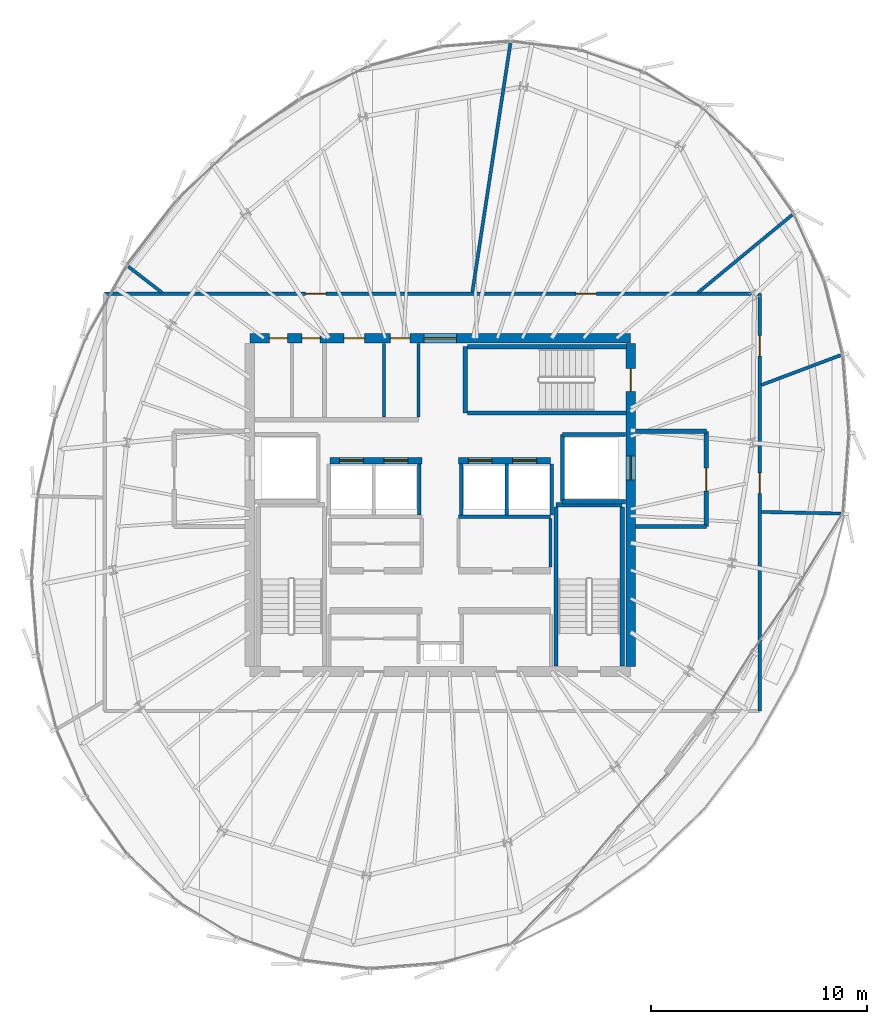
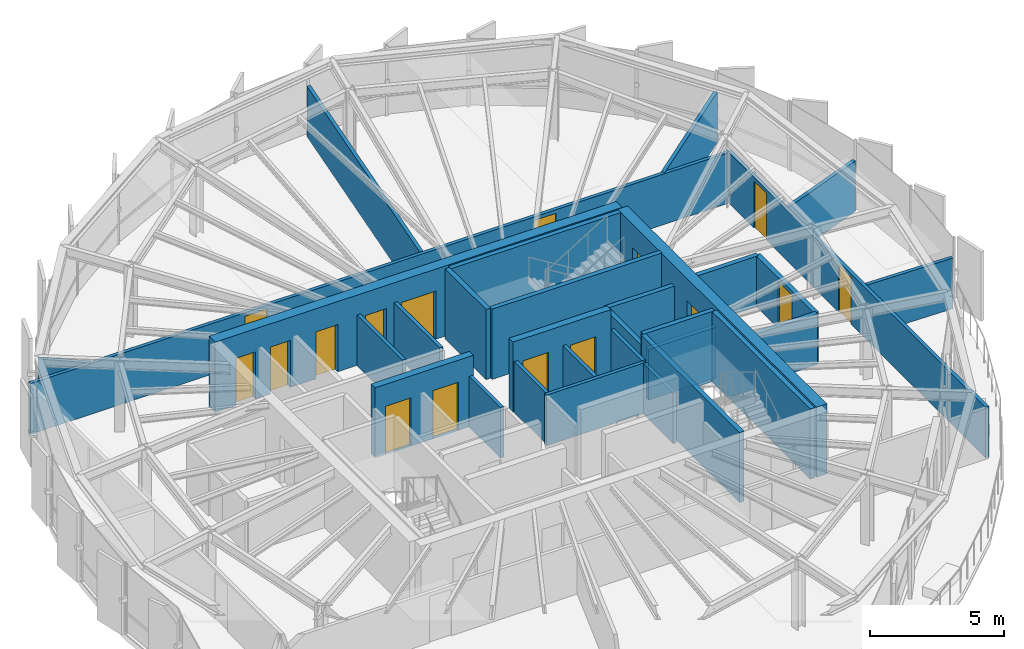
# One storey, part 25 of 30: 31 walls, 16 doors, 16 openings.
"""IFC4 building model written with IfcOpenShell, lengths in metres."""

from ifc_helpers import new_model, si_unit, direction, frame, frame_2d, origin, place, context, subcontext, project, spatial, rectangle, extrude, source, transform, mapped, material, layer, layer_set, type_object, element, fill, save


model = new_model("IFC4")

# Units and contexts
model_context = context("Model", 3, precision=1e-05, world=origin(), true_north=direction((0.0, 1.0)))
body_context = subcontext(model_context, "Body", "Model", "MODEL_VIEW")
ifc_project = project(units=[si_unit("LENGTHUNIT", "METRE"), si_unit("AREAUNIT", "SQUARE_METRE"), si_unit("VOLUMEUNIT", "CUBIC_METRE"), si_unit("PLANEANGLEUNIT", "RADIAN"), si_unit("MASSUNIT", "GRAM", prefix="KILO"), si_unit("THERMODYNAMICTEMPERATUREUNIT", "KELVIN")], contexts=[model_context])

# Site, building, storey
site_placement = place(None, origin())
site = spatial("IfcSite", under=ifc_project, at=site_placement, CompositionType="ELEMENT")
building_placement = place(site_placement, origin())
building = spatial("IfcBuilding", under=site, at=building_placement, Name="Kethvar Cultural Tower", CompositionType="ELEMENT")
storey_placement = place(building_placement, frame((0.0, 0.0, 293.949951171875)))
storey = spatial("IfcBuildingStorey", under=building, at=storey_placement, Name="L78", CompositionType="ELEMENT", Elevation=293.949951171875)

# Wall, openings, doors
ifc_material_1 = material(Name="Concrete C50/60", Category="concrete")
ifc_layer_1 = layer(ifc_material_1, 0.449951171875, Name="Concrete C50/60", Category="concrete")
ifc_layer_set_1 = layer_set([ifc_layer_1], Name="Concrete C50/60 (450 mm)")
wall_type_1 = type_object("IfcWallType", Name="WL-CORE-450", PredefinedType="SHEAR", material=ifc_layer_set_1)
wall_1_placement = place(storey_placement, frame((55.60009765625, 35.5, 0.0), z_axis=(0.0, 0.0, 1.0), x_axis=(-1.0, 0.0, 0.0)))
wall_1 = element("IfcWall", 1, at=wall_1_placement, inside=storey, type_object=wall_type_1, Name="L78 Core Shear Wall N", PredefinedType="SHEAR", context=body_context, shape_type="SweptSolid", body=[
    extrude(rectangle(XDim=17.60009765625, YDim=0.449951171875, at=frame_2d((8.800048828125, 0.0))), origin(), (0.0, 0.0, 1.0), 3.2099609375),
])
opening_1_placement = place(wall_1_placement, frame((8.050048828125, 0.0, 0.0)))
opening_1 = element("IfcOpeningElement", 2, at=opening_1_placement, cuts=wall_1, Name="Opening D-L78-LN", PredefinedType="OPENING", context=body_context, shape_type="SweptSolid", body=[
    extrude(rectangle(XDim=1.5, YDim=2.199951171875, at=frame_2d((0.75, 1.10009765625))), frame((0.0, 0.23486328125, 0.0), z_axis=(0.0, -1.0, 0.0), x_axis=(1.0, 0.0, 0.0)), (0.0, 0.0, 1.0), 0.469970703125),
])
opening_2_placement = place(wall_1_placement, frame((15.85009765625, 0.0, 0.0)))
opening_2 = element("IfcOpeningElement", 3, at=opening_2_placement, cuts=wall_1, Name="Opening D-L78-E1", PredefinedType="OPENING", context=body_context, shape_type="SweptSolid", body=[
    extrude(rectangle(XDim=0.85009765625, YDim=2.14990234375, at=frame_2d((0.425048828125, 1.074951171875))), frame((0.0, 0.23486328125, 0.0), z_axis=(0.0, -1.0, 0.0), x_axis=(1.0, 0.0, 0.0)), (0.0, 0.0, 1.0), 0.469970703125),
])
opening_3_placement = place(wall_1_placement, frame((14.35009765625, 0.0, 0.0)))
opening_3 = element("IfcOpeningElement", 4, at=opening_3_placement, cuts=wall_1, Name="Opening D-L78-E2", PredefinedType="OPENING", context=body_context, shape_type="SweptSolid", body=[
    extrude(rectangle(XDim=0.85009765625, YDim=2.14990234375, at=frame_2d((0.425048828125, 1.074951171875))), frame((0.0, 0.23486328125, 0.0), z_axis=(0.0, -1.0, 0.0), x_axis=(1.0, 0.0, 0.0)), (0.0, 0.0, 1.0), 0.469970703125),
])
opening_4_placement = place(wall_1_placement, frame((12.300048828125, 0.0, 0.0)))
opening_4 = element("IfcOpeningElement", 5, at=opening_4_placement, cuts=wall_1, Name="Opening D-L78-W1", PredefinedType="OPENING", context=body_context, shape_type="SweptSolid", body=[
    extrude(rectangle(XDim=0.949951171875, YDim=2.14990234375, at=frame_2d((0.47509765625, 1.074951171875))), frame((0.0, 0.23486328125, 0.0), z_axis=(0.0, -1.0, 0.0), x_axis=(1.0, 0.0, 0.0)), (0.0, 0.0, 1.0), 0.469970703125),
])
opening_5_placement = place(wall_1_placement, frame((10.199951171875, 0.0, 0.0)))
opening_5 = element("IfcOpeningElement", 6, at=opening_5_placement, cuts=wall_1, Name="Opening D-L78-W2", PredefinedType="OPENING", context=body_context, shape_type="SweptSolid", body=[
    extrude(rectangle(XDim=0.89990234375, YDim=2.14990234375, at=frame_2d((0.449951171875, 1.074951171875))), frame((0.0, 0.23486328125, 0.0), z_axis=(0.0, -1.0, 0.0), x_axis=(1.0, 0.0, 0.0)), (0.0, 0.0, 1.0), 0.469970703125),
])
ifc_material_2 = material(Name="Architectural Oak Timber", Category="wood")
door_type_1 = type_object("IfcDoorType", Name="DR-DBL-FD60-1500", OperationType="DOUBLE_DOOR_SINGLE_SWING", PredefinedType="DOOR", material=ifc_material_2)
shared_shape_1 = source(origin(), body_context, "Body", "SweptSolid", [
    extrude(rectangle(XDim=1.5, YDim=2.199951171875, at=frame_2d((0.75, 1.10009765625))), frame((0.0, 0.02490234375, 0.0), z_axis=(0.0, -1.0, 0.0), x_axis=(1.0, 0.0, 0.0)), (0.0, 0.0, 1.0), 0.050048828125),
])
door_1_placement = place(opening_1_placement, origin())
door_1 = element("IfcDoor", 7, at=door_1_placement, inside=storey, type_object=door_type_1, Name="L78 Lift Lobby Concourse Door", OperationType="DOUBLE_DOOR_SINGLE_SWING", OverallHeight=2.199951171875, OverallWidth=1.5, PredefinedType="DOOR", context=body_context, shape_type="MappedRepresentation", body=[
    mapped(shared_shape_1, transform((0.0, 0.0, 0.0), scale=1.0)),
])
fill(opening_1, door_1)
door_type_2 = type_object("IfcDoorType", Name="DR-FD30-950", OperationType="NOTDEFINED", PredefinedType="DOOR", material=ifc_material_2)
shared_shape_2 = source(origin(), body_context, "Body", "SweptSolid", [
    extrude(rectangle(XDim=0.949951171875, YDim=2.14990234375, at=frame_2d((0.47509765625, 1.074951171875))), frame((0.0, 0.02490234375, 0.0), z_axis=(0.0, -1.0, 0.0), x_axis=(1.0, 0.0, 0.0)), (0.0, 0.0, 1.0), 0.050048828125),
])
door_2_placement = place(opening_4_placement, origin())
door_2 = element("IfcDoor", 8, at=door_2_placement, inside=storey, type_object=door_type_2, Name="L78 Public Washroom Door", OperationType="SINGLE_SWING_LEFT", OverallHeight=2.14990234375, OverallWidth=0.949951171875, PredefinedType="DOOR", context=body_context, shape_type="MappedRepresentation", body=[
    mapped(shared_shape_2, transform((0.0, 0.0, 0.0), scale=1.0)),
])
fill(opening_4, door_2)
door_type_3 = type_object("IfcDoorType", Name="DR-FD30-900", OperationType="NOTDEFINED", PredefinedType="DOOR", material=ifc_material_2)
shared_shape_3 = source(origin(), body_context, "Body", "SweptSolid", [
    extrude(rectangle(XDim=0.89990234375, YDim=2.14990234375, at=frame_2d((0.449951171875, 1.074951171875))), frame((0.0, 0.02490234375, 0.0), z_axis=(0.0, -1.0, 0.0), x_axis=(1.0, 0.0, 0.0)), (0.0, 0.0, 1.0), 0.050048828125),
])
door_3_placement = place(opening_5_placement, origin())
door_3 = element("IfcDoor", 9, at=door_3_placement, inside=storey, type_object=door_type_3, Name="L78 Accessible Washroom Door", OperationType="SINGLE_SWING_RIGHT", OverallHeight=2.14990234375, OverallWidth=0.89990234375, PredefinedType="DOOR", context=body_context, shape_type="MappedRepresentation", body=[
    mapped(shared_shape_3, transform((0.0, 0.0, 0.0), scale=1.0)),
])
fill(opening_5, door_3)
ifc_material_3 = material(Name="Steel S355J2", Category="steel")
door_type_4 = type_object("IfcDoorType", Name="DR-FD30-850", OperationType="NOTDEFINED", PredefinedType="DOOR", material=ifc_material_3)
shared_shape_4 = source(origin(), body_context, "Body", "SweptSolid", [
    extrude(rectangle(XDim=0.85009765625, YDim=2.14990234375, at=frame_2d((0.425048828125, 1.074951171875))), frame((0.0, 0.02490234375, 0.0), z_axis=(0.0, -1.0, 0.0), x_axis=(1.0, 0.0, 0.0)), (0.0, 0.0, 1.0), 0.050048828125),
])
door_4_placement = place(opening_2_placement, origin())
door_4 = element("IfcDoor", 10, at=door_4_placement, inside=storey, type_object=door_type_4, Name="L78 Electrical Riser Door", OperationType="SINGLE_SWING_LEFT", OverallHeight=2.14990234375, OverallWidth=0.85009765625, PredefinedType="DOOR", context=body_context, shape_type="MappedRepresentation", body=[
    mapped(shared_shape_4, transform((0.0, 0.0, 0.0), scale=1.0)),
])
fill(opening_2, door_4)
door_5_placement = place(opening_3_placement, origin())
door_5 = element("IfcDoor", 11, at=door_5_placement, inside=storey, type_object=door_type_4, Name="L78 Chilled Water Riser Door", OperationType="SINGLE_SWING_RIGHT", OverallHeight=2.14990234375, OverallWidth=0.85009765625, PredefinedType="DOOR", context=body_context, shape_type="MappedRepresentation", body=[
    mapped(shared_shape_4, transform((0.0, 0.0, 0.0), scale=1.0)),
])
fill(opening_3, door_5)

wall_2_placement = place(storey_placement, frame((55.60009765625, 20.340087890625, 0.0), z_axis=(0.0, 0.0, 1.0), x_axis=(0.0, 1.0, 0.0)))
wall_2 = element("IfcWall", 12, at=wall_2_placement, inside=storey, type_object=wall_type_1, Name="L78 Core Shear Wall E", PredefinedType="SHEAR", context=body_context, shape_type="SweptSolid", body=[
    extrude(rectangle(XDim=14.919921875, YDim=0.449951171875, at=frame_2d((7.4599609375, 0.0))), origin(), (0.0, 0.0, 1.0), 3.2099609375),
])
opening_6_placement = place(wall_2_placement, frame((12.7099609375, 0.0, 0.0)))
opening_6 = element("IfcOpeningElement", 13, at=opening_6_placement, cuts=wall_2, Name="Opening D-L78-S3", PredefinedType="OPENING", context=body_context, shape_type="SweptSolid", body=[
    extrude(rectangle(XDim=1.050048828125, YDim=2.14990234375, at=frame_2d((0.52490234375, 1.074951171875))), frame((0.0, 0.23486328125, 0.0), z_axis=(0.0, -1.0, 0.0), x_axis=(1.0, 0.0, 0.0)), (0.0, 0.0, 1.0), 0.469970703125),
])
opening_7_placement = place(wall_2_placement, frame((8.610107421875, 0.0, 0.0)))
opening_7 = element("IfcOpeningElement", 14, at=opening_7_placement, cuts=wall_2, Name="Opening LD-2", PredefinedType="OPENING", context=body_context, shape_type="SweptSolid", body=[
    extrude(rectangle(XDim=1.10009765625, YDim=2.199951171875, at=frame_2d((0.550048828125, 1.10009765625))), frame((0.0, 0.23486328125, 0.0), z_axis=(0.0, -1.0, 0.0), x_axis=(1.0, 0.0, 0.0)), (0.0, 0.0, 1.0), 0.469970703125),
])
door_type_5 = type_object("IfcDoorType", Name="DR-FD60-1050", OperationType="NOTDEFINED", PredefinedType="DOOR", material=ifc_material_3)
shared_shape_5 = source(origin(), body_context, "Body", "SweptSolid", [
    extrude(rectangle(XDim=1.050048828125, YDim=2.14990234375, at=frame_2d((0.52490234375, 1.074951171875))), frame((0.0, 0.02490234375, 0.0), z_axis=(0.0, -1.0, 0.0), x_axis=(1.0, 0.0, 0.0)), (0.0, 0.0, 1.0), 0.050048828125),
])
door_6_placement = place(opening_6_placement, origin())
door_6 = element("IfcDoor", 15, at=door_6_placement, inside=storey, type_object=door_type_5, Name="L78 Exit Stair 3 Door", OperationType="SINGLE_SWING_LEFT", OverallHeight=2.14990234375, OverallWidth=1.050048828125, PredefinedType="DOOR", context=body_context, shape_type="MappedRepresentation", body=[
    mapped(shared_shape_5, transform((0.0, 0.0, 0.0), scale=1.0)),
])
fill(opening_6, door_6)
door_type_6 = type_object("IfcDoorType", Name="DR-LIFT-SLIDE-1100", OperationType="NOTDEFINED", PredefinedType="DOOR", material=ifc_material_3)
shared_shape_6 = source(origin(), body_context, "Body", "SweptSolid", [
    extrude(rectangle(XDim=1.10009765625, YDim=2.199951171875, at=frame_2d((0.550048828125, 1.10009765625))), frame((0.0, 0.02490234375, 0.0), z_axis=(0.0, -1.0, 0.0), x_axis=(1.0, 0.0, 0.0)), (0.0, 0.0, 1.0), 0.050048828125),
])
door_7_placement = place(opening_7_placement, origin())
door_7 = element("IfcDoor", 16, at=door_7_placement, inside=storey, type_object=door_type_6, Name="L78 Firefighting Lift Landing Door FFL-02", OperationType="SLIDING_TO_RIGHT", OverallHeight=2.199951171875, OverallWidth=1.10009765625, PredefinedType="DOOR", context=body_context, shape_type="MappedRepresentation", body=[
    mapped(shared_shape_6, transform((0.0, 0.0, 0.0), scale=1.0)),
])
fill(opening_7, door_7)

# Walls
ifc_material_4 = material(Name="Gypsum Fireboard Partition")
ifc_layer_2 = layer(ifc_material_4, 0.14990234375, Name="Gypsum Fireboard Partition")
ifc_layer_set_2 = layer_set([ifc_layer_2], Name="Gypsum Fireboard Partition (150 mm)")
wall_type_2 = type_object("IfcWallType", Name="WL-FIRE-150", PredefinedType="PARTITIONING", material=ifc_layer_set_2)
wall_3_placement = place(storey_placement, frame((47.64990234375, 27.25, 0.0), z_axis=(0.0, 0.0, 1.0), x_axis=(1.0, 0.0, 0.0)))
element("IfcWall", 17, at=wall_3_placement, inside=storey, type_object=wall_type_2, Name="L78 Reclaimed Mid Wall E", PredefinedType="PARTITIONING", context=body_context, shape_type="SweptSolid", body=[
    extrude(rectangle(XDim=4.25, YDim=0.14990234375, at=frame_2d((2.125, 0.0))), origin(), (0.0, 0.0, 1.0), 2.31494140625),
])
wall_4_placement = place(storey_placement, frame((51.89990234375, 24.919921875, 0.0), z_axis=(0.0, 0.0, 1.0), x_axis=(0.0, 1.0, 0.0)))
element("IfcWall", 18, at=wall_4_placement, inside=storey, type_object=wall_type_2, Name="L78 Reclaimed Mid Outer E", PredefinedType="PARTITIONING", context=body_context, shape_type="SweptSolid", body=[
    extrude(rectangle(XDim=2.239990234375, YDim=0.14990234375, at=frame_2d((1.1201171875, 0.0))), origin(), (0.0, 0.0, 1.0), 2.31494140625),
])
for number, where, z_axis, x_axis, name in (
    (19, (45.824951171875, 27.340087890625, 0.0), (0.0, 0.0, 1.0), (0.0, 1.0, 0.0), "L78 High-Rise Lift Shaft Concourse Wall W"),
    (20, (47.77490234375, 27.340087890625, 0.0), (0.0, 0.0, 1.0), (0.0, 1.0, 0.0), "L78 High-Rise Lift Shaft Concourse Wall E"),
    (21, (49.875, 27.340087890625, 0.0), (0.0, 0.0, 1.0), (0.0, 1.0, 0.0), "L78 High-Rise Lift Shaft Divider E"),
    (22, (51.949951171875, 27.340087890625, 0.0), (0.0, 0.0, 1.0), (0.0, 1.0, 0.0), "L78 High-Rise Lift Shaft Outer Wall E"),
):
    element("IfcWall", number, at=place(storey_placement, frame(where, z_axis=z_axis, x_axis=x_axis)), inside=storey, type_object=wall_type_2, Name=name, PredefinedType="PARTITIONING", context=body_context, shape_type="SweptSolid", body=[
        extrude(rectangle(XDim=2.33984375, YDim=0.14990234375, at=frame_2d((1.169921875, 0.0))), origin(), (0.0, 0.0, 1.0), 2.31494140625),
    ])
wall_5_placement = place(storey_placement, frame((45.800048828125, 31.85009765625, 0.0), z_axis=(0.0, 0.0, 1.0), x_axis=(0.0, 1.0, 0.0)))
element("IfcWall", 23, at=wall_5_placement, inside=storey, type_object=wall_type_2, Name="L78 Sanitary Spine Wall", PredefinedType="PARTITIONING", context=body_context, shape_type="SweptSolid", body=[
    extrude(rectangle(XDim=3.414794921875, YDim=0.14990234375, at=frame_2d((1.70751953125, 0.0))), origin(), (0.0, 0.0, 1.0), 2.31494140625),
])

# Wall, openings, doors
wall_6_placement = place(storey_placement, frame((61.56396484375, 18.26904296875, 0.0), z_axis=(0.0, 0.0, 1.0), x_axis=(0.0, 1.0, 0.0)))
wall_6 = element("IfcWall", 24, at=wall_6_placement, inside=storey, type_object=wall_type_2, Name="L78 Corridor Rated Wall E", PredefinedType="PARTITIONING", context=body_context, shape_type="SweptSolid", body=[
    extrude(rectangle(XDim=19.29296875, YDim=0.14990234375, at=frame_2d((9.646484375, 0.0))), origin(), (0.0, 0.0, 1.0), 2.31494140625),
])
opening_8_placement = place(wall_6_placement, frame((10.058349609375, 0.0, 0.0)))
opening_8 = element("IfcOpeningElement", 25, at=opening_8_placement, cuts=wall_6, Name="Opening D-L78-03", PredefinedType="OPENING", context=body_context, shape_type="SweptSolid", body=[
    extrude(rectangle(XDim=0.949951171875, YDim=2.14990234375, at=frame_2d((0.47509765625, 1.074951171875))), frame((0.0, 0.0849609375, 0.0), z_axis=(0.0, -1.0, 0.0), x_axis=(1.0, 0.0, 0.0)), (0.0, 0.0, 1.0), 0.169921875),
])
opening_9_placement = place(wall_6_placement, frame((16.40234375, 0.0, 0.0)))
opening_9 = element("IfcOpeningElement", 26, at=opening_9_placement, cuts=wall_6, Name="Opening D-L78-04", PredefinedType="OPENING", context=body_context, shape_type="SweptSolid", body=[
    extrude(rectangle(XDim=0.949951171875, YDim=2.14990234375, at=frame_2d((0.47509765625, 1.074951171875))), frame((0.0, 0.0849609375, 0.0), z_axis=(0.0, -1.0, 0.0), x_axis=(1.0, 0.0, 0.0)), (0.0, 0.0, 1.0), 0.169921875),
])
door_8_placement = place(opening_8_placement, origin())
door_8 = element("IfcDoor", 27, at=door_8_placement, inside=storey, type_object=door_type_2, Name="L78 Art Monograph Boutique 03 Door", OperationType="SINGLE_SWING_LEFT", OverallHeight=2.14990234375, OverallWidth=0.949951171875, PredefinedType="DOOR", context=body_context, shape_type="MappedRepresentation", body=[
    mapped(shared_shape_2, transform((0.0, 0.0, 0.0), scale=1.0)),
])
fill(opening_8, door_8)
door_9_placement = place(opening_9_placement, origin())
door_9 = element("IfcDoor", 28, at=door_9_placement, inside=storey, type_object=door_type_2, Name="L78 Poster Edition Shop 04 Door", OperationType="SINGLE_SWING_RIGHT", OverallHeight=2.14990234375, OverallWidth=0.949951171875, PredefinedType="DOOR", context=body_context, shape_type="MappedRepresentation", body=[
    mapped(shared_shape_2, transform((0.0, 0.0, 0.0), scale=1.0)),
])
fill(opening_9, door_9)

wall_7_placement = place(storey_placement, frame((61.56396484375, 37.56201171875, 0.0), z_axis=(0.0, 0.0, 1.0), x_axis=(-1.0, 0.0, 0.0)))
wall_7 = element("IfcWall", 29, at=wall_7_placement, inside=storey, type_object=wall_type_2, Name="L78 Corridor Rated Wall N", PredefinedType="PARTITIONING", context=body_context, shape_type="SweptSolid", body=[
    extrude(rectangle(XDim=30.27392578125, YDim=0.14990234375, at=frame_2d((15.136962890625, 0.0))), origin(), (0.0, 0.0, 1.0), 2.31494140625),
])
opening_10_placement = place(wall_7_placement, frame((7.544677734375, 0.0, 0.0)))
opening_10 = element("IfcOpeningElement", 30, at=opening_10_placement, cuts=wall_7, Name="Opening D-L78-05", PredefinedType="OPENING", context=body_context, shape_type="SweptSolid", body=[
    extrude(rectangle(XDim=0.949951171875, YDim=2.14990234375, at=frame_2d((0.47509765625, 1.074951171875))), frame((0.0, 0.0849609375, 0.0), z_axis=(0.0, -1.0, 0.0), x_axis=(1.0, 0.0, 0.0)), (0.0, 0.0, 1.0), 0.169921875),
])
opening_11_placement = place(wall_7_placement, frame((20.03955078125, 0.0, 0.0)))
opening_11 = element("IfcOpeningElement", 31, at=opening_11_placement, cuts=wall_7, Name="Opening D-L78-06", PredefinedType="OPENING", context=body_context, shape_type="SweptSolid", body=[
    extrude(rectangle(XDim=0.949951171875, YDim=2.14990234375, at=frame_2d((0.47509765625, 1.074951171875))), frame((0.0, 0.0849609375, 0.0), z_axis=(0.0, -1.0, 0.0), x_axis=(1.0, 0.0, 0.0)), (0.0, 0.0, 1.0), 0.169921875),
])
door_10_placement = place(opening_10_placement, origin())
door_10 = element("IfcDoor", 32, at=door_10_placement, inside=storey, type_object=door_type_2, Name="L78 Archival Facsimile Shop 05 Door", OperationType="SINGLE_SWING_LEFT", OverallHeight=2.14990234375, OverallWidth=0.949951171875, PredefinedType="DOOR", context=body_context, shape_type="MappedRepresentation", body=[
    mapped(shared_shape_2, transform((0.0, 0.0, 0.0), scale=1.0)),
])
fill(opening_10, door_10)
door_11_placement = place(opening_11_placement, origin())
door_11 = element("IfcDoor", 33, at=door_11_placement, inside=storey, type_object=door_type_2, Name="L78 Staff Tea Pantry 06 Door", OperationType="SINGLE_SWING_RIGHT", OverallHeight=2.14990234375, OverallWidth=0.949951171875, PredefinedType="DOOR", context=body_context, shape_type="MappedRepresentation", body=[
    mapped(shared_shape_2, transform((0.0, 0.0, 0.0), scale=1.0)),
])
fill(opening_11, door_11)

# Walls
ifc_material_5 = material(Name="Concrete C40/50", Category="concrete")
ifc_layer_3 = layer(ifc_material_5, 0.199951171875, Name="Concrete C40/50", Category="concrete")
ifc_layer_set_3 = layer_set([ifc_layer_3], Name="Concrete C40/50 (200 mm)")
wall_type_3 = type_object("IfcWallType", Name="WL-FIRE-200", PredefinedType="PARTITIONING", material=ifc_layer_set_3)
wall_8_placement = place(storey_placement, frame((52.449951171875, 27.949951171875, 0.0), z_axis=(0.0, 0.0, 1.0), x_axis=(0.0, 1.0, 0.0)))
element("IfcWall", 34, at=wall_8_placement, inside=storey, type_object=wall_type_3, Name="L78 FFL-02 Shaft Inner Wall", PredefinedType="PARTITIONING", context=body_context, shape_type="SweptSolid", body=[
    extrude(rectangle(XDim=3.10009765625, YDim=0.199951171875, at=frame_2d((1.550048828125, 0.0))), origin(), (0.0, 0.0, 1.0), 2.31494140625),
])
for number, where, z_axis, x_axis, name in (
    (35, (52.449951171875, 27.949951171875, 0.0), (0.0, 0.0, 1.0), (1.0, 0.0, 0.0), "L78 FFL-02 Shaft South Wall"),
    (36, (52.449951171875, 31.050048828125, 0.0), (0.0, 0.0, 1.0), (1.0, 0.0, 0.0), "L78 FFL-02 Shaft North Wall"),
):
    element("IfcWall", number, at=place(storey_placement, frame(where, z_axis=z_axis, x_axis=x_axis)), inside=storey, type_object=wall_type_3, Name=name, PredefinedType="PARTITIONING", context=body_context, shape_type="SweptSolid", body=[
        extrude(rectangle(XDim=2.9150390625, YDim=0.199951171875, at=frame_2d((1.45751953125, 0.0))), origin(), (0.0, 0.0, 1.0), 2.31494140625),
    ])

# Wall, opening, door
wall_9_placement = place(storey_placement, frame((59.10009765625, 26.800048828125, 0.0), z_axis=(0.0, 0.0, 1.0), x_axis=(0.0, 1.0, 0.0)))
wall_9 = element("IfcWall", 37, at=wall_9_placement, inside=storey, type_object=wall_type_3, Name="L78 Firefighting Lobby 2 Wall", PredefinedType="PARTITIONING", context=body_context, shape_type="SweptSolid", body=[
    extrude(rectangle(XDim=4.39990234375, YDim=0.199951171875, at=frame_2d((2.199951171875, 0.0))), origin(), (0.0, 0.0, 1.0), 2.31494140625),
])
opening_12_placement = place(wall_9_placement, frame((1.64990234375, 0.0, 0.0)))
opening_12 = element("IfcOpeningElement", 38, at=opening_12_placement, cuts=wall_9, Name="Opening D-L78-F2", PredefinedType="OPENING", context=body_context, shape_type="SweptSolid", body=[
    extrude(rectangle(XDim=1.050048828125, YDim=2.14990234375, at=frame_2d((0.52490234375, 1.074951171875))), frame((0.0, 0.10986328125, 0.0), z_axis=(0.0, -1.0, 0.0), x_axis=(1.0, 0.0, 0.0)), (0.0, 0.0, 1.0), 0.219970703125),
])
door_12_placement = place(opening_12_placement, origin())
door_12 = element("IfcDoor", 39, at=door_12_placement, inside=storey, type_object=door_type_5, Name="L78 Firefighting Lobby 2 Fire Door", OperationType="SINGLE_SWING_LEFT", OverallHeight=2.14990234375, OverallWidth=1.050048828125, PredefinedType="DOOR", context=body_context, shape_type="MappedRepresentation", body=[
    mapped(shared_shape_5, transform((0.0, 0.0, 0.0), scale=1.0)),
])
fill(opening_12, door_12)

# Walls
for number, where, z_axis, x_axis, name in (
    (40, (55.8349609375, 26.800048828125, 0.0), (0.0, 0.0, 1.0), (1.0, 0.0, 0.0), "L78 FF Lobby 2 South Wall"),
    (41, (55.8349609375, 31.199951171875, 0.0), (0.0, 0.0, 1.0), (1.0, 0.0, 0.0), "L78 FF Lobby 2 North Wall"),
):
    element("IfcWall", number, at=place(storey_placement, frame(where, z_axis=z_axis, x_axis=x_axis)), inside=storey, type_object=wall_type_3, Name=name, PredefinedType="PARTITIONING", context=body_context, shape_type="SweptSolid", body=[
        extrude(rectangle(XDim=3.26513671875, YDim=0.199951171875, at=frame_2d((1.632568359375, 0.0))), origin(), (0.0, 0.0, 1.0), 2.31494140625),
    ])
ifc_material_6 = material(Name="Gypsum Acoustic Partition")
ifc_layer_4 = layer(ifc_material_6, 0.14990234375, Name="Gypsum Acoustic Partition")
ifc_layer_set_4 = layer_set([ifc_layer_4], Name="Gypsum Acoustic Partition (150 mm)")
wall_type_4 = type_object("IfcWallType", Name="WL-PART-150", PredefinedType="PARTITIONING", material=ifc_layer_set_4)
wall_10_placement = place(storey_placement, frame((61.64404296875, 27.473876953125, 0.0), z_axis=(0.0, 0.0, 1.0), x_axis=(0.999787363951, -0.020621030128, 0.0)))
element("IfcWall", 42, at=wall_10_placement, inside=storey, type_object=wall_type_4, Name="L78 Radial Partition Wall 04", PredefinedType="PARTITIONING", context=body_context, shape_type="SweptSolid", body=[
    extrude(rectangle(XDim=3.670166015625, YDim=0.14990234375, at=frame_2d((1.8349609375, 0.0))), origin(), (0.0, 0.0, 1.0), 2.31494140625),
])
wall_11_placement = place(storey_placement, frame((61.638916015625, 33.338623046875, 0.0), z_axis=(0.0, 0.0, 1.0), x_axis=(0.935913629977, 0.352229580279, 0.0)))
element("IfcWall", 43, at=wall_11_placement, inside=storey, type_object=wall_type_4, Name="L78 Radial Partition Wall 05", PredefinedType="PARTITIONING", context=body_context, shape_type="SweptSolid", body=[
    extrude(rectangle(XDim=3.91748046875, YDim=0.14990234375, at=frame_2d((1.958740234375, 0.0))), origin(), (0.0, 0.0, 1.0), 2.31494140625),
])
wall_12_placement = place(storey_placement, frame((58.7158203125, 37.61279296875, 0.0), z_axis=(0.0, 0.0, 1.0), x_axis=(0.771104958494, 0.636708051611, 0.0)))
element("IfcWall", 44, at=wall_12_placement, inside=storey, type_object=wall_type_4, Name="L78 Radial Partition Wall 06", PredefinedType="PARTITIONING", context=body_context, shape_type="SweptSolid", body=[
    extrude(rectangle(XDim=5.640380859375, YDim=0.14990234375, at=frame_2d((2.8203125, 0.0))), origin(), (0.0, 0.0, 1.0), 2.31494140625),
])
wall_13_placement = place(storey_placement, frame((48.2861328125, 37.64111328125, 0.0), z_axis=(0.0, 0.0, 1.0), x_axis=(0.151178163671, 0.988506531506, 0.0)))
element("IfcWall", 45, at=wall_13_placement, inside=storey, type_object=wall_type_4, Name="L78 Radial Partition Wall 07", PredefinedType="PARTITIONING", context=body_context, shape_type="SweptSolid", body=[
    extrude(rectangle(XDim=11.625732421875, YDim=0.14990234375, at=frame_2d((5.81298828125, 0.0))), origin(), (0.0, 0.0, 1.0), 2.31494140625),
])
wall_14_placement = place(storey_placement, frame((33.940185546875, 37.61083984375, 0.0), z_axis=(0.0, 0.0, 1.0), x_axis=(-0.791041760973, 0.611762153452, 0.0)))
element("IfcWall", 46, at=wall_14_placement, inside=storey, type_object=wall_type_4, Name="L78 Radial Partition Wall 08", PredefinedType="PARTITIONING", context=body_context, shape_type="SweptSolid", body=[
    extrude(rectangle(XDim=1.965087890625, YDim=0.14990234375, at=frame_2d((0.982421875, 0.0))), origin(), (0.0, 0.0, 1.0), 2.31494140625),
])
ifc_material_7 = material(Name="Moisture-Resistant Sanitary Chase Wall")
ifc_layer_5 = layer(ifc_material_7, 0.14990234375, Name="Moisture-Resistant Sanitary Chase Wall")
ifc_layer_set_5 = layer_set([ifc_layer_5], Name="Moisture-Resistant Sanitary Chase Wall (150 mm)")
wall_type_5 = type_object("IfcWallType", Name="WL-PLUMB-150", PredefinedType="PLUMBINGWALL", material=ifc_layer_set_5)
wall_15_placement = place(storey_placement, frame((44.199951171875, 31.85009765625, 0.0), z_axis=(0.0, 0.0, 1.0), x_axis=(0.0, 1.0, 0.0)))
element("IfcWall", 47, at=wall_15_placement, inside=storey, type_object=wall_type_5, Name="L78 Sanitary Plumbing Wall", PredefinedType="PLUMBINGWALL", context=body_context, shape_type="SweptSolid", body=[
    extrude(rectangle(XDim=3.414794921875, YDim=0.14990234375, at=frame_2d((1.70751953125, 0.0))), origin(), (0.0, 0.0, 1.0), 2.31494140625),
])

# Wall, openings, doors
ifc_layer_6 = layer(ifc_material_1, 0.300048828125, Name="Concrete C50/60", Category="concrete")
ifc_layer_set_6 = layer_set([ifc_layer_6], Name="Concrete C50/60 (300 mm)")
wall_type_6 = type_object("IfcWallType", Name="WL-SHAFT-300", PredefinedType="SHEAR", material=ifc_layer_set_6)
wall_16_placement = place(storey_placement, frame((41.699951171875, 29.85009765625, 0.0), z_axis=(0.0, 0.0, 1.0), x_axis=(1.0, 0.0, 0.0)))
wall_16 = element("IfcWall", 48, at=wall_16_placement, inside=storey, type_object=wall_type_6, Name="L78 Core Lift Spine Wall MID3W", PredefinedType="SHEAR", context=body_context, shape_type="SweptSolid", body=[
    extrude(rectangle(XDim=4.25, YDim=0.300048828125, at=frame_2d((2.125, 0.0))), origin(), (0.0, 0.0, 1.0), 3.2099609375),
])
opening_13_placement = place(wall_16_placement, frame((0.449951171875, 0.0, 0.0)))
opening_13 = element("IfcOpeningElement", 49, at=opening_13_placement, cuts=wall_16, Name="Opening LD-H1", PredefinedType="OPENING", context=body_context, shape_type="SweptSolid", body=[
    extrude(rectangle(XDim=1.10009765625, YDim=2.199951171875, at=frame_2d((0.550048828125, 1.10009765625))), frame((0.0, 0.159912109375, 0.0), z_axis=(0.0, -1.0, 0.0), x_axis=(1.0, 0.0, 0.0)), (0.0, 0.0, 1.0), 0.320068359375),
])
opening_14_placement = place(wall_16_placement, frame((2.5, 0.0, 0.0)))
opening_14 = element("IfcOpeningElement", 50, at=opening_14_placement, cuts=wall_16, Name="Opening LD-H2", PredefinedType="OPENING", context=body_context, shape_type="SweptSolid", body=[
    extrude(rectangle(XDim=1.10009765625, YDim=2.199951171875, at=frame_2d((0.550048828125, 1.10009765625))), frame((0.0, 0.159912109375, 0.0), z_axis=(0.0, -1.0, 0.0), x_axis=(1.0, 0.0, 0.0)), (0.0, 0.0, 1.0), 0.320068359375),
])
door_13_placement = place(opening_13_placement, origin())
door_13 = element("IfcDoor", 51, at=door_13_placement, inside=storey, type_object=door_type_6, Name="L78 High-Rise Lift Landing Door H1", OperationType="SLIDING_TO_LEFT", OverallHeight=2.199951171875, OverallWidth=1.10009765625, PredefinedType="DOOR", context=body_context, shape_type="MappedRepresentation", body=[
    mapped(shared_shape_6, transform((0.0, 0.0, 0.0), scale=1.0)),
])
fill(opening_13, door_13)
door_14_placement = place(opening_14_placement, origin())
door_14 = element("IfcDoor", 52, at=door_14_placement, inside=storey, type_object=door_type_6, Name="L78 High-Rise Lift Landing Door H2", OperationType="SLIDING_TO_LEFT", OverallHeight=2.199951171875, OverallWidth=1.10009765625, PredefinedType="DOOR", context=body_context, shape_type="MappedRepresentation", body=[
    mapped(shared_shape_6, transform((0.0, 0.0, 0.0), scale=1.0)),
])
fill(opening_14, door_14)

wall_17_placement = place(storey_placement, frame((47.64990234375, 29.85009765625, 0.0), z_axis=(0.0, 0.0, 1.0), x_axis=(1.0, 0.0, 0.0)))
wall_17 = element("IfcWall", 53, at=wall_17_placement, inside=storey, type_object=wall_type_6, Name="L78 Core Lift Spine Wall MID3E", PredefinedType="SHEAR", context=body_context, shape_type="SweptSolid", body=[
    extrude(rectangle(XDim=4.25, YDim=0.300048828125, at=frame_2d((2.125, 0.0))), origin(), (0.0, 0.0, 1.0), 3.2099609375),
])
opening_15_placement = place(wall_17_placement, frame((0.449951171875, 0.0, 0.0)))
opening_15 = element("IfcOpeningElement", 54, at=opening_15_placement, cuts=wall_17, Name="Opening LD-H3", PredefinedType="OPENING", context=body_context, shape_type="SweptSolid", body=[
    extrude(rectangle(XDim=1.10009765625, YDim=2.199951171875, at=frame_2d((0.550048828125, 1.10009765625))), frame((0.0, 0.159912109375, 0.0), z_axis=(0.0, -1.0, 0.0), x_axis=(1.0, 0.0, 0.0)), (0.0, 0.0, 1.0), 0.320068359375),
])
opening_16_placement = place(wall_17_placement, frame((2.5, 0.0, 0.0)))
opening_16 = element("IfcOpeningElement", 55, at=opening_16_placement, cuts=wall_17, Name="Opening LD-H4", PredefinedType="OPENING", context=body_context, shape_type="SweptSolid", body=[
    extrude(rectangle(XDim=1.10009765625, YDim=2.199951171875, at=frame_2d((0.550048828125, 1.10009765625))), frame((0.0, 0.159912109375, 0.0), z_axis=(0.0, -1.0, 0.0), x_axis=(1.0, 0.0, 0.0)), (0.0, 0.0, 1.0), 0.320068359375),
])
door_15_placement = place(opening_15_placement, origin())
door_15 = element("IfcDoor", 56, at=door_15_placement, inside=storey, type_object=door_type_6, Name="L78 High-Rise Lift Landing Door H3", OperationType="SLIDING_TO_LEFT", OverallHeight=2.199951171875, OverallWidth=1.10009765625, PredefinedType="DOOR", context=body_context, shape_type="MappedRepresentation", body=[
    mapped(shared_shape_6, transform((0.0, 0.0, 0.0), scale=1.0)),
])
fill(opening_15, door_15)
door_16_placement = place(opening_16_placement, origin())
door_16 = element("IfcDoor", 57, at=door_16_placement, inside=storey, type_object=door_type_6, Name="L78 High-Rise Lift Landing Door H4", OperationType="SLIDING_TO_LEFT", OverallHeight=2.199951171875, OverallWidth=1.10009765625, PredefinedType="DOOR", context=body_context, shape_type="MappedRepresentation", body=[
    mapped(shared_shape_6, transform((0.0, 0.0, 0.0), scale=1.0)),
])
fill(opening_16, door_16)

# Walls
ifc_layer_7 = layer(ifc_material_1, 0.199951171875, Name="Concrete C50/60", Category="concrete")
ifc_layer_set_7 = layer_set([ifc_layer_7], Name="Concrete C50/60 (200 mm)")
wall_type_7 = type_object("IfcWallType", Name="WL-STSHAFT-200", PredefinedType="SHEAR", material=ifc_layer_set_7)
wall_18_placement = place(storey_placement, frame((52.14990234375, 27.800048828125, 0.0), z_axis=(0.0, 0.0, 1.0), x_axis=(1.0, 0.0, 0.0)))
element("IfcWall", 58, at=wall_18_placement, inside=storey, type_object=wall_type_7, Name="L78 ST-02 Stair Shaft Wall FAR", PredefinedType="SHEAR", context=body_context, shape_type="SweptSolid", body=[
    extrude(rectangle(XDim=3.06005859375, YDim=0.199951171875, at=frame_2d((1.530029296875, 0.0))), origin(), (0.0, 0.0, 1.0), 3.2099609375),
])
for number, where, z_axis, x_axis, name in (
    (59, (55.2099609375, 27.699951171875, 0.0), (0.0, 0.0, 1.0), (0.0, -1.0, 0.0), "L78 ST-02 Stair Shaft Wall LEFT"),
    (60, (52.14990234375, 20.35009765625, 0.0), (0.0, 0.0, 1.0), (0.0, 1.0, 0.0), "L78 ST-02 Stair Shaft Wall RIGHT"),
):
    element("IfcWall", number, at=place(storey_placement, frame(where, z_axis=z_axis, x_axis=x_axis)), inside=storey, type_object=wall_type_7, Name=name, PredefinedType="SHEAR", context=body_context, shape_type="SweptSolid", body=[
        extrude(rectangle(XDim=7.349853515625, YDim=0.199951171875, at=frame_2d((3.6748046875, 0.0))), origin(), (0.0, 0.0, 1.0), 3.2099609375),
    ])
wall_19_placement = place(storey_placement, frame((47.949951171875, 32.050048828125, 0.0), z_axis=(0.0, 0.0, 1.0), x_axis=(0.0, 1.0, 0.0)))
element("IfcWall", 61, at=wall_19_placement, inside=storey, type_object=wall_type_7, Name="L78 ST-03 Stair Shaft Wall FAR", PredefinedType="SHEAR", context=body_context, shape_type="SweptSolid", body=[
    extrude(rectangle(XDim=3.06005859375, YDim=0.199951171875, at=frame_2d((1.530029296875, 0.0))), origin(), (0.0, 0.0, 1.0), 3.2099609375),
])
for number, where, z_axis, x_axis, name in (
    (62, (48.050048828125, 35.110107421875, 0.0), (0.0, 0.0, 1.0), (1.0, 0.0, 0.0), "L78 ST-03 Stair Shaft Wall LEFT"),
    (63, (55.39990234375, 32.050048828125, 0.0), (0.0, 0.0, 1.0), (-1.0, 0.0, 0.0), "L78 ST-03 Stair Shaft Wall RIGHT"),
):
    element("IfcWall", number, at=place(storey_placement, frame(where, z_axis=z_axis, x_axis=x_axis)), inside=storey, type_object=wall_type_7, Name=name, PredefinedType="SHEAR", context=body_context, shape_type="SweptSolid", body=[
        extrude(rectangle(XDim=7.349853515625, YDim=0.199951171875, at=frame_2d((3.6748046875, 0.0))), origin(), (0.0, 0.0, 1.0), 3.2099609375),
    ])

save(model, "model.ifc")
